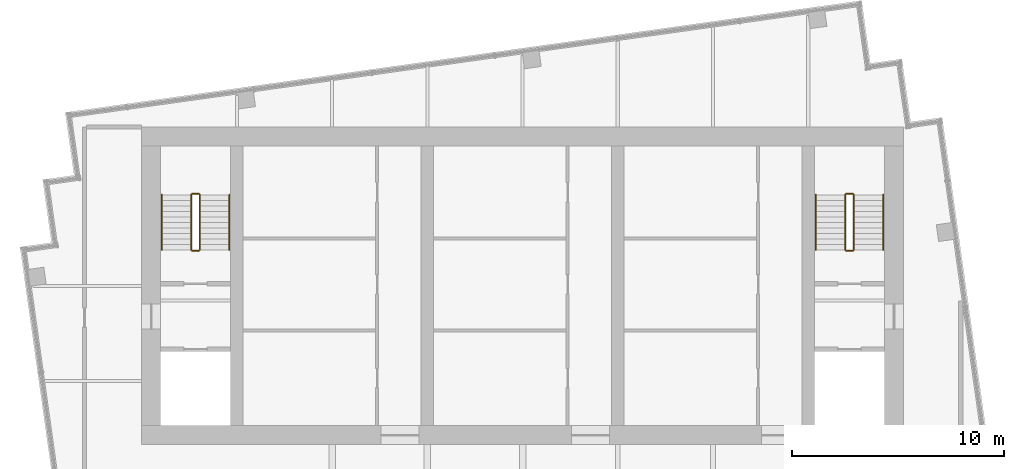
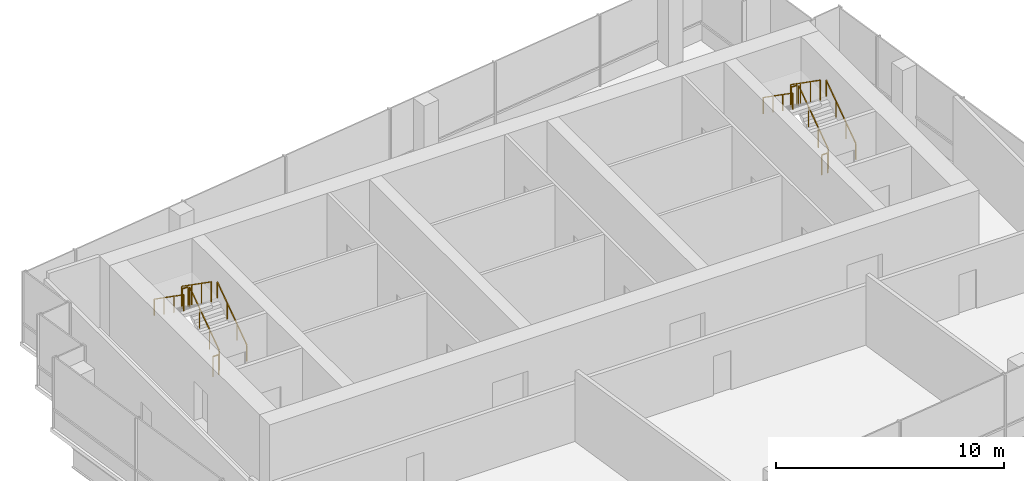
# One storey, part 9 of 9: 12 railings.
"""IFC4 building model written with IfcOpenShell, lengths in metres."""

from ifc_helpers import new_model, si_unit, direction, frame, origin, origin_2d, place, context, subcontext, project, spatial, rectangle, extrude, material, type_object, element, save


model = new_model("IFC4")

# Units and contexts
model_context = context("Model", 3, precision=1e-05, world=origin(), true_north=direction((0.0, 1.0)))
body_context = subcontext(model_context, "Body", "Model", "MODEL_VIEW")
ifc_project = project(units=[si_unit("LENGTHUNIT", "METRE"), si_unit("AREAUNIT", "SQUARE_METRE"), si_unit("VOLUMEUNIT", "CUBIC_METRE"), si_unit("PLANEANGLEUNIT", "RADIAN"), si_unit("MASSUNIT", "GRAM", prefix="KILO")], contexts=[model_context])

# Site, building, storey
site_placement = place(None, origin())
site = spatial("IfcSite", under=ifc_project, at=site_placement, CompositionType="ELEMENT")
building_placement = place(site_placement, origin())
building = spatial("IfcBuilding", under=site, at=building_placement, Name="Rattan Terrace Tower", CompositionType="ELEMENT")
storey_placement = place(building_placement, frame((0.0, 0.0, 296.300048828125)))
storey = spatial("IfcBuildingStorey", under=building, at=storey_placement, Name="C02", CompositionType="ELEMENT", Elevation=296.300048828125)

# Railings
ifc_material_1 = material(Name="Powder-coated steel guard", Category="steel")
railing_type_1 = type_object("IfcRailingType", Name="Core stair guard", PredefinedType="GUARDRAIL", material=ifc_material_1)
railing_1_placement = place(storey_placement, frame((-15.25, 1.699951171875, 0.181884765625)))
element("IfcRailing", 1, at=railing_1_placement, inside=storey, type_object=railing_type_1, Name="C02 S1 stair guard 1", PredefinedType="GUARDRAIL", context=body_context, shape_type="SweptSolid", body=[
    extrude(rectangle(XDim=0.048095703125, YDim=0.048095703125, at=origin_2d()), frame((0.0, 0.0, 1.076171875), z_axis=(0.0, 0.819521025635, 0.573049115296), x_axis=(-1.0, 0.0, 0.0)), (0.0, 0.0, 1.0), 3.172607421875),
    extrude(rectangle(XDim=0.0419921875, YDim=0.0419921875, at=origin_2d()), origin(), (0.0, 0.0, 1.0), 1.052001953125),
    extrude(rectangle(XDim=0.0419921875, YDim=0.0419921875, at=origin_2d()), frame((0.0, 0.86669921875, 0.60595703125)), (0.0, 0.0, 1.0), 1.052001953125),
    extrude(rectangle(XDim=0.0419921875, YDim=0.0419921875, at=origin_2d()), frame((0.0, 1.7333984375, 1.212158203125)), (0.0, 0.0, 1.0), 1.052001953125),
    extrude(rectangle(XDim=0.0419921875, YDim=0.0419921875, at=origin_2d()), frame((0.0, 2.60009765625, 1.818115234375)), (0.0, 0.0, 1.0), 1.052001953125),
])
railing_2_placement = place(storey_placement, frame((-15.300048828125, 4.35009765625, 2.0)))
element("IfcRailing", 2, at=railing_2_placement, inside=storey, type_object=railing_type_1, Name="C02 S1 stair guard 2", PredefinedType="GUARDRAIL", context=body_context, shape_type="SweptSolid", body=[
    extrude(rectangle(XDim=0.048095703125, YDim=0.048095703125, at=origin_2d()), frame((0.0, 0.0, 1.076171875), z_axis=(-1.0, 0.0, 0.0), x_axis=(0.0, -1.0, 0.0)), (0.0, 0.0, 1.0), 0.300048828125),
    extrude(rectangle(XDim=0.0419921875, YDim=0.0419921875, at=origin_2d()), origin(), (0.0, 0.0, 1.0), 1.052001953125),
    extrude(rectangle(XDim=0.0419921875, YDim=0.0419921875, at=origin_2d()), frame((-0.300048828125, 0.0, 0.0)), (0.0, 0.0, 1.0), 1.052001953125),
])
railing_3_placement = place(storey_placement, frame((-15.64990234375, 4.300048828125, 2.181884765625)))
element("IfcRailing", 3, at=railing_3_placement, inside=storey, type_object=railing_type_1, Name="C02 S1 stair guard 3", PredefinedType="GUARDRAIL", context=body_context, shape_type="SweptSolid", body=[
    extrude(rectangle(XDim=0.048095703125, YDim=0.048095703125, at=origin_2d()), frame((0.0, 0.0, 1.076171875), z_axis=(0.0, -0.819521025635, 0.573049115296), x_axis=(1.0, 0.0, 0.0)), (0.0, 0.0, 1.0), 3.172607421875),
    extrude(rectangle(XDim=0.0419921875, YDim=0.0419921875, at=origin_2d()), origin(), (0.0, 0.0, 1.0), 1.052001953125),
    extrude(rectangle(XDim=0.0419921875, YDim=0.0419921875, at=origin_2d()), frame((0.0, -0.86669921875, 0.60595703125)), (0.0, 0.0, 1.0), 1.052001953125),
    extrude(rectangle(XDim=0.0419921875, YDim=0.0419921875, at=origin_2d()), frame((0.0, -1.7333984375, 1.212158203125)), (0.0, 0.0, 1.0), 1.052001953125),
    extrude(rectangle(XDim=0.0419921875, YDim=0.0419921875, at=origin_2d()), frame((0.0, -2.60009765625, 1.818115234375)), (0.0, 0.0, 1.0), 1.052001953125),
])
railing_4_placement = place(storey_placement, frame((-15.300048828125, 1.64990234375, 0.0)))
element("IfcRailing", 4, at=railing_4_placement, inside=storey, type_object=railing_type_1, Name="C02 S1 stair guard 4", PredefinedType="GUARDRAIL", context=body_context, shape_type="SweptSolid", body=[
    extrude(rectangle(XDim=0.048095703125, YDim=0.048095703125, at=origin_2d()), frame((0.0, 0.0, 1.076171875), z_axis=(-1.0, 0.0, 0.0), x_axis=(0.0, -1.0, 0.0)), (0.0, 0.0, 1.0), 0.300048828125),
    extrude(rectangle(XDim=0.0419921875, YDim=0.0419921875, at=origin_2d()), origin(), (0.0, 0.0, 1.0), 1.052001953125),
    extrude(rectangle(XDim=0.0419921875, YDim=0.0419921875, at=origin_2d()), frame((-0.300048828125, 0.0, 0.0)), (0.0, 0.0, 1.0), 1.052001953125),
])
railing_5_placement = place(storey_placement, frame((15.64990234375, 1.699951171875, 0.181884765625)))
element("IfcRailing", 5, at=railing_5_placement, inside=storey, type_object=railing_type_1, Name="C02 S2 stair guard 1", PredefinedType="GUARDRAIL", context=body_context, shape_type="SweptSolid", body=[
    extrude(rectangle(XDim=0.048095703125, YDim=0.048095703125, at=origin_2d()), frame((0.0, 0.0, 1.076171875), z_axis=(0.0, 0.819521025635, 0.573049115296), x_axis=(-1.0, 0.0, 0.0)), (0.0, 0.0, 1.0), 3.172607421875),
    extrude(rectangle(XDim=0.0419921875, YDim=0.0419921875, at=origin_2d()), origin(), (0.0, 0.0, 1.0), 1.052001953125),
    extrude(rectangle(XDim=0.0419921875, YDim=0.0419921875, at=origin_2d()), frame((0.0, 0.86669921875, 0.60595703125)), (0.0, 0.0, 1.0), 1.052001953125),
    extrude(rectangle(XDim=0.0419921875, YDim=0.0419921875, at=origin_2d()), frame((0.0, 1.7333984375, 1.212158203125)), (0.0, 0.0, 1.0), 1.052001953125),
    extrude(rectangle(XDim=0.0419921875, YDim=0.0419921875, at=origin_2d()), frame((0.0, 2.60009765625, 1.818115234375)), (0.0, 0.0, 1.0), 1.052001953125),
])
railing_6_placement = place(storey_placement, frame((15.60009765625, 4.35009765625, 2.0)))
element("IfcRailing", 6, at=railing_6_placement, inside=storey, type_object=railing_type_1, Name="C02 S2 stair guard 2", PredefinedType="GUARDRAIL", context=body_context, shape_type="SweptSolid", body=[
    extrude(rectangle(XDim=0.048095703125, YDim=0.048095703125, at=origin_2d()), frame((0.0, 0.0, 1.076171875), z_axis=(-1.0, 0.0, 0.0), x_axis=(0.0, -1.0, 0.0)), (0.0, 0.0, 1.0), 0.300048828125),
    extrude(rectangle(XDim=0.0419921875, YDim=0.0419921875, at=origin_2d()), origin(), (0.0, 0.0, 1.0), 1.052001953125),
    extrude(rectangle(XDim=0.0419921875, YDim=0.0419921875, at=origin_2d()), frame((-0.300048828125, 0.0, 0.0)), (0.0, 0.0, 1.0), 1.052001953125),
])
railing_7_placement = place(storey_placement, frame((15.25, 4.300048828125, 2.181884765625)))
element("IfcRailing", 7, at=railing_7_placement, inside=storey, type_object=railing_type_1, Name="C02 S2 stair guard 3", PredefinedType="GUARDRAIL", context=body_context, shape_type="SweptSolid", body=[
    extrude(rectangle(XDim=0.048095703125, YDim=0.048095703125, at=origin_2d()), frame((0.0, 0.0, 1.076171875), z_axis=(0.0, -0.819521025635, 0.573049115296), x_axis=(1.0, 0.0, 0.0)), (0.0, 0.0, 1.0), 3.172607421875),
    extrude(rectangle(XDim=0.0419921875, YDim=0.0419921875, at=origin_2d()), origin(), (0.0, 0.0, 1.0), 1.052001953125),
    extrude(rectangle(XDim=0.0419921875, YDim=0.0419921875, at=origin_2d()), frame((0.0, -0.86669921875, 0.60595703125)), (0.0, 0.0, 1.0), 1.052001953125),
    extrude(rectangle(XDim=0.0419921875, YDim=0.0419921875, at=origin_2d()), frame((0.0, -1.7333984375, 1.212158203125)), (0.0, 0.0, 1.0), 1.052001953125),
    extrude(rectangle(XDim=0.0419921875, YDim=0.0419921875, at=origin_2d()), frame((0.0, -2.60009765625, 1.818115234375)), (0.0, 0.0, 1.0), 1.052001953125),
])
railing_8_placement = place(storey_placement, frame((15.60009765625, 1.64990234375, 0.0)))
element("IfcRailing", 8, at=railing_8_placement, inside=storey, type_object=railing_type_1, Name="C02 S2 stair guard 4", PredefinedType="GUARDRAIL", context=body_context, shape_type="SweptSolid", body=[
    extrude(rectangle(XDim=0.048095703125, YDim=0.048095703125, at=origin_2d()), frame((0.0, 0.0, 1.076171875), z_axis=(-1.0, 0.0, 0.0), x_axis=(0.0, -1.0, 0.0)), (0.0, 0.0, 1.0), 0.300048828125),
    extrude(rectangle(XDim=0.0419921875, YDim=0.0419921875, at=origin_2d()), origin(), (0.0, 0.0, 1.0), 1.052001953125),
    extrude(rectangle(XDim=0.0419921875, YDim=0.0419921875, at=origin_2d()), frame((-0.300048828125, 0.0, 0.0)), (0.0, 0.0, 1.0), 1.052001953125),
])
ifc_material_2 = material(Name="Powder-coated steel handrail", Category="steel")
railing_type_2 = type_object("IfcRailingType", Name="Core stair handrail", PredefinedType="HANDRAIL", material=ifc_material_2)
railing_9_placement = place(storey_placement, frame((-13.85009765625, 1.699951171875, 0.181884765625)))
element("IfcRailing", 9, at=railing_9_placement, inside=storey, type_object=railing_type_2, Name="C02 S1 stair handrail 1", PredefinedType="HANDRAIL", context=body_context, shape_type="SweptSolid", body=[
    extrude(rectangle(XDim=0.048095703125, YDim=0.048095703125, at=origin_2d()), frame((0.0, 0.0, 0.8759765625), z_axis=(0.0, 0.819521025635, 0.573049115296), x_axis=(-1.0, 0.0, 0.0)), (0.0, 0.0, 1.0), 3.172607421875),
    extrude(rectangle(XDim=0.0419921875, YDim=0.0419921875, at=origin_2d()), origin(), (0.0, 0.0, 1.0), 0.851806640625),
    extrude(rectangle(XDim=0.0419921875, YDim=0.0419921875, at=origin_2d()), frame((0.0, 0.86669921875, 0.60595703125)), (0.0, 0.0, 1.0), 0.851806640625),
    extrude(rectangle(XDim=0.0419921875, YDim=0.0419921875, at=origin_2d()), frame((0.0, 1.7333984375, 1.212158203125)), (0.0, 0.0, 1.0), 0.851806640625),
    extrude(rectangle(XDim=0.0419921875, YDim=0.0419921875, at=origin_2d()), frame((0.0, 2.60009765625, 1.818115234375)), (0.0, 0.0, 1.0), 0.851806640625),
])
railing_10_placement = place(storey_placement, frame((-17.050048828125, 4.300048828125, 2.181884765625)))
element("IfcRailing", 10, at=railing_10_placement, inside=storey, type_object=railing_type_2, Name="C02 S1 stair handrail 2", PredefinedType="HANDRAIL", context=body_context, shape_type="SweptSolid", body=[
    extrude(rectangle(XDim=0.048095703125, YDim=0.048095703125, at=origin_2d()), frame((0.0, 0.0, 0.8759765625), z_axis=(0.0, -0.819521025635, 0.573049115296), x_axis=(1.0, 0.0, 0.0)), (0.0, 0.0, 1.0), 3.172607421875),
    extrude(rectangle(XDim=0.0419921875, YDim=0.0419921875, at=origin_2d()), origin(), (0.0, 0.0, 1.0), 0.851806640625),
    extrude(rectangle(XDim=0.0419921875, YDim=0.0419921875, at=origin_2d()), frame((0.0, -0.86669921875, 0.60595703125)), (0.0, 0.0, 1.0), 0.851806640625),
    extrude(rectangle(XDim=0.0419921875, YDim=0.0419921875, at=origin_2d()), frame((0.0, -1.7333984375, 1.212158203125)), (0.0, 0.0, 1.0), 0.851806640625),
    extrude(rectangle(XDim=0.0419921875, YDim=0.0419921875, at=origin_2d()), frame((0.0, -2.60009765625, 1.818115234375)), (0.0, 0.0, 1.0), 0.851806640625),
])
railing_11_placement = place(storey_placement, frame((17.050048828125, 1.699951171875, 0.181884765625)))
element("IfcRailing", 11, at=railing_11_placement, inside=storey, type_object=railing_type_2, Name="C02 S2 stair handrail 1", PredefinedType="HANDRAIL", context=body_context, shape_type="SweptSolid", body=[
    extrude(rectangle(XDim=0.048095703125, YDim=0.048095703125, at=origin_2d()), frame((0.0, 0.0, 0.8759765625), z_axis=(0.0, 0.819521025635, 0.573049115296), x_axis=(-1.0, 0.0, 0.0)), (0.0, 0.0, 1.0), 3.172607421875),
    extrude(rectangle(XDim=0.0419921875, YDim=0.0419921875, at=origin_2d()), origin(), (0.0, 0.0, 1.0), 0.851806640625),
    extrude(rectangle(XDim=0.0419921875, YDim=0.0419921875, at=origin_2d()), frame((0.0, 0.86669921875, 0.60595703125)), (0.0, 0.0, 1.0), 0.851806640625),
    extrude(rectangle(XDim=0.0419921875, YDim=0.0419921875, at=origin_2d()), frame((0.0, 1.7333984375, 1.212158203125)), (0.0, 0.0, 1.0), 0.851806640625),
    extrude(rectangle(XDim=0.0419921875, YDim=0.0419921875, at=origin_2d()), frame((0.0, 2.60009765625, 1.818115234375)), (0.0, 0.0, 1.0), 0.851806640625),
])
railing_12_placement = place(storey_placement, frame((13.85009765625, 4.300048828125, 2.181884765625)))
element("IfcRailing", 12, at=railing_12_placement, inside=storey, type_object=railing_type_2, Name="C02 S2 stair handrail 2", PredefinedType="HANDRAIL", context=body_context, shape_type="SweptSolid", body=[
    extrude(rectangle(XDim=0.048095703125, YDim=0.048095703125, at=origin_2d()), frame((0.0, 0.0, 0.8759765625), z_axis=(0.0, -0.819521025635, 0.573049115296), x_axis=(1.0, 0.0, 0.0)), (0.0, 0.0, 1.0), 3.172607421875),
    extrude(rectangle(XDim=0.0419921875, YDim=0.0419921875, at=origin_2d()), origin(), (0.0, 0.0, 1.0), 0.851806640625),
    extrude(rectangle(XDim=0.0419921875, YDim=0.0419921875, at=origin_2d()), frame((0.0, -0.86669921875, 0.60595703125)), (0.0, 0.0, 1.0), 0.851806640625),
    extrude(rectangle(XDim=0.0419921875, YDim=0.0419921875, at=origin_2d()), frame((0.0, -1.7333984375, 1.212158203125)), (0.0, 0.0, 1.0), 0.851806640625),
    extrude(rectangle(XDim=0.0419921875, YDim=0.0419921875, at=origin_2d()), frame((0.0, -2.60009765625, 1.818115234375)), (0.0, 0.0, 1.0), 0.851806640625),
])

save(model, "model.ifc")
